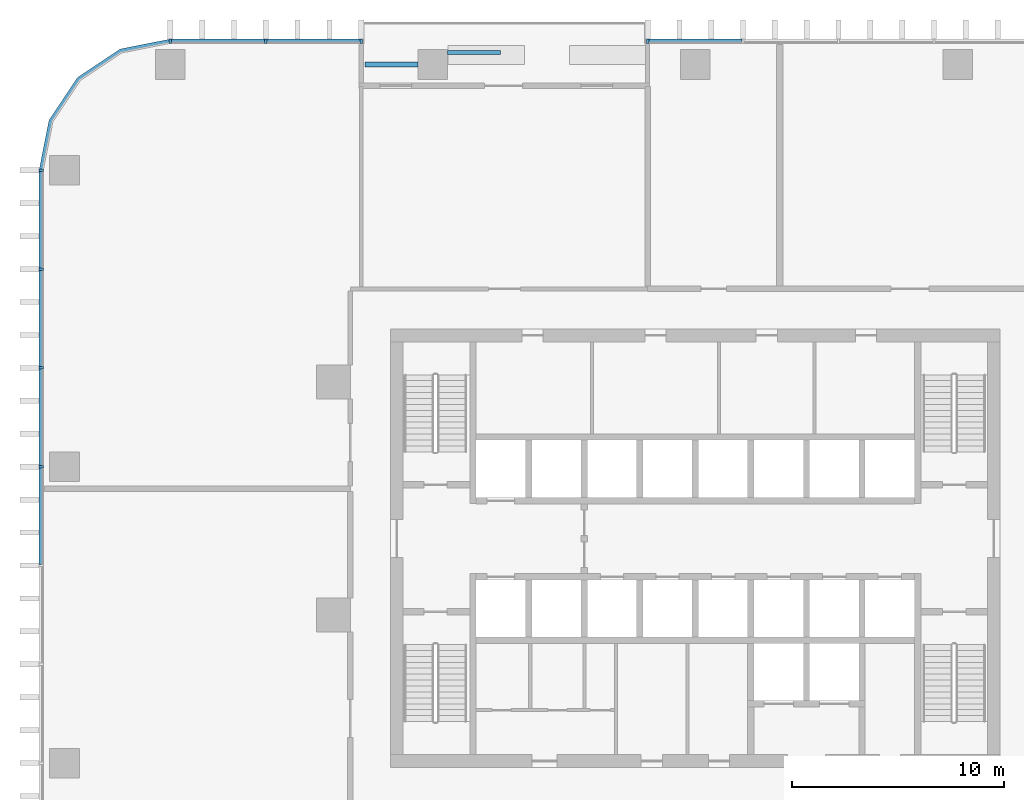
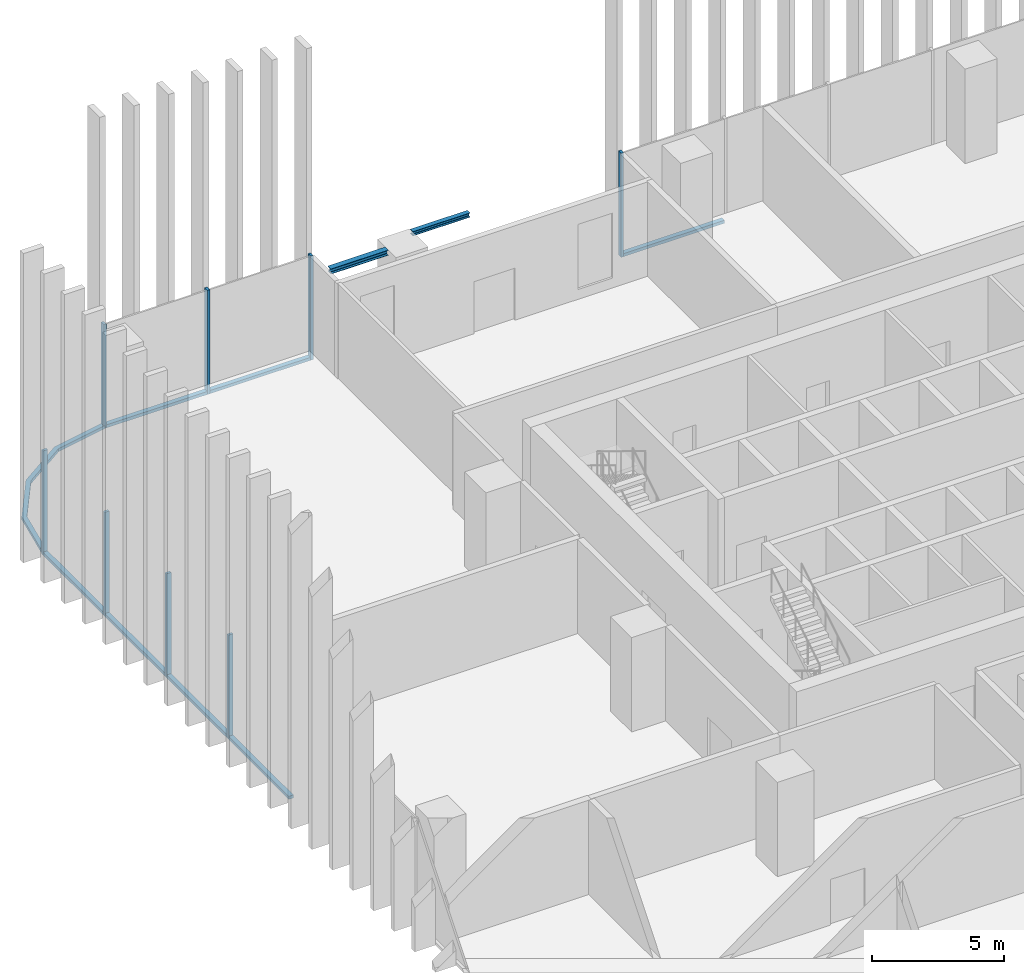
# One storey, part 4 of 17: 16 members, 2 beams, 4 elements without a shape of their own.
"""IFC4 building model written with IfcOpenShell, lengths in metres."""

from ifc_helpers import new_model, si_unit, direction, frame, origin, origin_2d, place, context, subcontext, project, spatial, polyline, rectangle, i_section, outline, extrude, material, material_profile, profile_set, type_object, element, aggregate, save


model = new_model("IFC4")

# Units and contexts
model_context = context("Model", 3, precision=1e-05, world=origin(), true_north=direction((0.0, 1.0)))
body_context = subcontext(model_context, "Body", "Model", "MODEL_VIEW")
ifc_project = project(units=[si_unit("LENGTHUNIT", "METRE"), si_unit("AREAUNIT", "SQUARE_METRE"), si_unit("VOLUMEUNIT", "CUBIC_METRE"), si_unit("PLANEANGLEUNIT", "RADIAN"), si_unit("MASSUNIT", "GRAM", prefix="KILO")], contexts=[model_context])

# Site, building, storey
site_placement = place(None, origin())
site = spatial("IfcSite", under=ifc_project, at=site_placement, CompositionType="ELEMENT")
building_placement = place(site_placement, origin())
building = spatial("IfcBuilding", under=site, at=building_placement, Name="Mopane Tessera Tower", CompositionType="ELEMENT")
storey_placement = place(building_placement, frame((0.0, 0.0, 74.199951171875)))
storey = spatial("IfcBuildingStorey", under=building, at=storey_placement, Name="L14", CompositionType="ELEMENT", Elevation=74.199951171875)

# Curtain wall, member
ifc_material_1 = material(Name="Aluminium frame", Category="aluminium")
curtain_wall_type = type_object("IfcCurtainWallType", Name="Lower tower unitised wall", PredefinedType="NOTDEFINED", material=ifc_material_1)
curtain_wall_1_placement = place(storey_placement, origin())
curtain_wall_1 = element("IfcCurtainWall", 1, at=curtain_wall_1_placement, inside=storey, type_object=curtain_wall_type, Name="e:cw:L14:N:0", PredefinedType="NOTDEFINED")
ifc_material_2 = material(Name="Aluminium frame", Category="aluminium")
ifc_material_profile_1 = material_profile(ifc_material_2, rectangle(XDim=0.110107421875, YDim=0.199951171875, at=origin_2d()))
ifc_profile_set_1 = profile_set([ifc_material_profile_1], Name="Aluminium frame")
member_type_1 = type_object("IfcMemberType", Name="Aluminium mullion 110 x 200", PredefinedType="MULLION", material=ifc_profile_set_1)
member_1_placement = place(storey_placement, frame((-2.254638671875, 27.10009765625, -0.449951171875), z_axis=(0.0, 0.0, 1.0), x_axis=(-1.0, 0.0, 0.0)))
member_1 = element("IfcMember", 2, at=member_1_placement, type_object=member_type_1, Name="e:cw:L14:N:0:mu6", PredefinedType="MULLION", context=body_context, shape_type="SweptSolid", body=[
    extrude(rectangle(XDim=0.110107421875, YDim=0.199951171875, at=origin_2d()), origin(), (0.0, 0.0, 1.0), 4.800048828125),
])

# Curtain wall, members
curtain_wall_2_placement = place(storey_placement, origin())
curtain_wall_2 = element("IfcCurtainWall", 3, at=curtain_wall_2_placement, inside=storey, type_object=curtain_wall_type, Name="e:cw:L14:N:9", PredefinedType="NOTDEFINED")
member_2_placement = place(storey_placement, frame((-15.78173828125, 27.10009765625, -0.449951171875), z_axis=(0.0, 0.0, 1.0), x_axis=(-1.0, 0.0, 0.0)))
member_2 = element("IfcMember", 4, at=member_2_placement, type_object=member_type_1, Name="e:cw:L14:N:9:mu9", PredefinedType="MULLION", context=body_context, shape_type="SweptSolid", body=[
    extrude(rectangle(XDim=0.110107421875, YDim=0.199951171875, at=origin_2d()), origin(), (0.0, 0.0, 1.0), 4.800048828125),
])
member_3_placement = place(storey_placement, frame((-20.291015625, 27.10009765625, -0.449951171875), z_axis=(0.0, 0.0, 1.0), x_axis=(-1.0, 0.0, 0.0)))
member_3 = element("IfcMember", 5, at=member_3_placement, type_object=member_type_1, Name="e:cw:L14:N:9:mu10", PredefinedType="MULLION", context=body_context, shape_type="SweptSolid", body=[
    extrude(rectangle(XDim=0.110107421875, YDim=0.199951171875, at=origin_2d()), origin(), (0.0, 0.0, 1.0), 4.800048828125),
])
member_4_placement = place(storey_placement, frame((-24.800048828125, 27.10009765625, -0.449951171875), z_axis=(0.0, 0.0, 1.0), x_axis=(-1.0, 0.0, 0.0)))
member_4 = element("IfcMember", 6, at=member_4_placement, type_object=member_type_1, Name="e:cw:L14:N:9:mu11", PredefinedType="MULLION", context=body_context, shape_type="SweptSolid", body=[
    extrude(rectangle(XDim=0.110107421875, YDim=0.199951171875, at=origin_2d()), origin(), (0.0, 0.0, 1.0), 4.800048828125),
])

curtain_wall_3_placement = place(storey_placement, origin())
curtain_wall_3 = element("IfcCurtainWall", 7, at=curtain_wall_3_placement, inside=storey, type_object=curtain_wall_type, Name="e:cw:L14:W:0", PredefinedType="NOTDEFINED")
member_5_placement = place(storey_placement, frame((-30.89990234375, 21.0, -0.449951171875), z_axis=(0.0, 0.0, 1.0), x_axis=(0.0, -1.0, 0.0)))
member_5 = element("IfcMember", 8, at=member_5_placement, type_object=member_type_1, Name="e:cw:L14:W:0:mu0", PredefinedType="MULLION", context=body_context, shape_type="SweptSolid", body=[
    extrude(rectangle(XDim=0.110107421875, YDim=0.199951171875, at=origin_2d()), origin(), (0.0, 0.0, 1.0), 4.800048828125),
])
member_6_placement = place(storey_placement, frame((-30.89990234375, 16.333251953125, -0.449951171875), z_axis=(0.0, 0.0, 1.0), x_axis=(0.0, -1.0, 0.0)))
member_6 = element("IfcMember", 9, at=member_6_placement, type_object=member_type_1, Name="e:cw:L14:W:0:mu1", PredefinedType="MULLION", context=body_context, shape_type="SweptSolid", body=[
    extrude(rectangle(XDim=0.110107421875, YDim=0.199951171875, at=origin_2d()), origin(), (0.0, 0.0, 1.0), 4.800048828125),
])
member_7_placement = place(storey_placement, frame((-30.89990234375, 11.666748046875, -0.449951171875), z_axis=(0.0, 0.0, 1.0), x_axis=(0.0, -1.0, 0.0)))
member_7 = element("IfcMember", 10, at=member_7_placement, type_object=member_type_1, Name="e:cw:L14:W:0:mu2", PredefinedType="MULLION", context=body_context, shape_type="SweptSolid", body=[
    extrude(rectangle(XDim=0.110107421875, YDim=0.199951171875, at=origin_2d()), origin(), (0.0, 0.0, 1.0), 4.800048828125),
])
member_8_placement = place(storey_placement, frame((-30.89990234375, 7.0, -0.449951171875), z_axis=(0.0, 0.0, 1.0), x_axis=(0.0, -1.0, 0.0)))
member_8 = element("IfcMember", 11, at=member_8_placement, type_object=member_type_1, Name="e:cw:L14:W:0:mu3", PredefinedType="MULLION", context=body_context, shape_type="SweptSolid", body=[
    extrude(rectangle(XDim=0.110107421875, YDim=0.199951171875, at=origin_2d()), origin(), (0.0, 0.0, 1.0), 4.800048828125),
])

# Member
ifc_material_3 = material(Name="Aluminium frame", Category="aluminium")
ifc_material_profile_2 = material_profile(ifc_material_3, rectangle(XDim=0.199951171875, YDim=0.139892578125, at=origin_2d()))
ifc_profile_set_2 = profile_set([ifc_material_profile_2], Name="Aluminium frame")
member_type_2 = type_object("IfcMemberType", Name="Aluminium transom 200 x 140", PredefinedType="USERDEFINED", material=ifc_profile_set_2)
member_9_placement = place(storey_placement, frame((2.199462890625, 27.10009765625, -0.3798828125), z_axis=(-1.0, 0.0, 0.0), x_axis=(0.0, -1.0, 0.0)))
member_9 = element("IfcMember", 12, at=member_9_placement, type_object=member_type_2, Name="e:cw:L14:N:0:tr5", ObjectType="TRANSOM", PredefinedType="USERDEFINED", context=body_context, shape_type="SweptSolid", body=[
    extrude(rectangle(XDim=0.199951171875, YDim=0.139892578125, at=origin_2d()), origin(), (0.0, 0.0, 1.0), 4.39892578125),
])

aggregate(curtain_wall_1, [member_1, member_9])

member_10_placement = place(storey_placement, frame((-15.8369140625, 27.10009765625, -0.3798828125), z_axis=(-1.0, 0.0, 0.0), x_axis=(0.0, -1.0, 0.0)))
member_10 = element("IfcMember", 13, at=member_10_placement, type_object=member_type_2, Name="e:cw:L14:N:9:tr9", ObjectType="TRANSOM", PredefinedType="USERDEFINED", context=body_context, shape_type="SweptSolid", body=[
    extrude(rectangle(XDim=0.199951171875, YDim=0.139892578125, at=origin_2d()), origin(), (0.0, 0.0, 1.0), 4.39892578125),
])

member_11_placement = place(storey_placement, frame((-20.345947265625, 27.10009765625, -0.3798828125), z_axis=(-1.0, 0.0, 0.0), x_axis=(0.0, -1.0, 0.0)))
member_11 = element("IfcMember", 14, at=member_11_placement, type_object=member_type_2, Name="e:cw:L14:N:9:tr10", ObjectType="TRANSOM", PredefinedType="USERDEFINED", context=body_context, shape_type="SweptSolid", body=[
    extrude(rectangle(XDim=0.199951171875, YDim=0.139892578125, at=origin_2d()), origin(), (0.0, 0.0, 1.0), 4.399169921875),
])

aggregate(curtain_wall_2, [member_2, member_3, member_4, member_10, member_11])

# Curtain wall, member
curtain_wall_4_placement = place(storey_placement, origin())
curtain_wall_4 = element("IfcCurtainWall", 15, at=curtain_wall_4_placement, inside=storey, type_object=curtain_wall_type, Name="e:cw:L14:CN", PredefinedType="NOTDEFINED")
member_12_placement = place(storey_placement, frame((0.0, 0.0, -0.449951171875)))
member_12 = element("IfcMember", 16, at=member_12_placement, type_object=member_type_2, Name="e:cw:L14:CN:tr", ObjectType="TRANSOM", PredefinedType="USERDEFINED", context=body_context, shape_type="SweptSolid", body=[
    extrude(outline(polyline([(-24.800048828125, 27.0), (-27.09619140625, 26.543212890625), (-29.042724609375, 25.24267578125), (-30.34326171875, 23.296142578125), (-30.800048828125, 21.0), (-31.0, 21.0), (-30.528076171875, 23.37255859375), (-29.18408203125, 25.384033203125), (-27.172607421875, 26.72802734375), (-24.800048828125, 27.199951171875), (-24.800048828125, 27.0)])), origin(), (0.0, 0.0, 1.0), 0.139892578125),
])
aggregate(curtain_wall_4, [member_12])

# Member
member_13_placement = place(storey_placement, frame((-30.89990234375, 20.945068359375, -0.3798828125), z_axis=(0.0, -1.0, 0.0), x_axis=(1.0, 0.0, 0.0)))
member_13 = element("IfcMember", 17, at=member_13_placement, type_object=member_type_2, Name="e:cw:L14:W:0:tr0", ObjectType="TRANSOM", PredefinedType="USERDEFINED", context=body_context, shape_type="SweptSolid", body=[
    extrude(rectangle(XDim=0.199951171875, YDim=0.139892578125, at=origin_2d()), origin(), (0.0, 0.0, 1.0), 4.556640625),
])

member_14_placement = place(storey_placement, frame((-30.89990234375, 16.2783203125, -0.3798828125), z_axis=(0.0, -1.0, 0.0), x_axis=(1.0, 0.0, 0.0)))
member_14 = element("IfcMember", 18, at=member_14_placement, type_object=member_type_2, Name="e:cw:L14:W:0:tr1", ObjectType="TRANSOM", PredefinedType="USERDEFINED", context=body_context, shape_type="SweptSolid", body=[
    extrude(rectangle(XDim=0.199951171875, YDim=0.139892578125, at=origin_2d()), origin(), (0.0, 0.0, 1.0), 4.556640625),
])

member_15_placement = place(storey_placement, frame((-30.89990234375, 11.611572265625, -0.3798828125), z_axis=(0.0, -1.0, 0.0), x_axis=(1.0, 0.0, 0.0)))
member_15 = element("IfcMember", 19, at=member_15_placement, type_object=member_type_2, Name="e:cw:L14:W:0:tr2", ObjectType="TRANSOM", PredefinedType="USERDEFINED", context=body_context, shape_type="SweptSolid", body=[
    extrude(rectangle(XDim=0.199951171875, YDim=0.139892578125, at=origin_2d()), origin(), (0.0, 0.0, 1.0), 4.556640625),
])

member_16_placement = place(storey_placement, frame((-30.89990234375, 6.945068359375, -0.3798828125), z_axis=(0.0, -1.0, 0.0), x_axis=(1.0, 0.0, 0.0)))
member_16 = element("IfcMember", 20, at=member_16_placement, type_object=member_type_2, Name="e:cw:L14:W:0:tr3", ObjectType="TRANSOM", PredefinedType="USERDEFINED", context=body_context, shape_type="SweptSolid", body=[
    extrude(rectangle(XDim=0.199951171875, YDim=0.139892578125, at=origin_2d()), origin(), (0.0, 0.0, 1.0), 4.556640625),
])

aggregate(curtain_wall_3, [member_5, member_6, member_7, member_8, member_13, member_14, member_15, member_16])

# Beams
ifc_material_4 = material(Name="Structural steel S460", Category="steel")
ifc_material_profile_3 = material_profile(ifc_material_4, i_section(OverallWidth=0.239990234375, OverallDepth=0.239990234375, WebThickness=0.010009765625, FlangeThickness=0.01708984375, FilletRadius=0.02099609375, at=origin_2d()))
ifc_profile_set_3 = profile_set([ifc_material_profile_3], Name="Structural steel S460")
beam_type_1 = type_object("IfcBeamType", Name="Terrace spandrel beam HE 240 B", PredefinedType="SPANDREL", material=ifc_profile_set_3)
beam_1_placement = place(storey_placement, frame((-13.102783203125, 26.0, 4.22998046875), z_axis=(-1.0, 0.0, 0.0), x_axis=(0.0, -1.0, 0.0)))
element("IfcBeam", 21, at=beam_1_placement, inside=storey, type_object=beam_type_1, Name="Terrace spandrel beam N2 L15", PredefinedType="SPANDREL", context=body_context, shape_type="SweptSolid", body=[
    extrude(i_section(OverallWidth=0.239990234375, OverallDepth=0.239990234375, WebThickness=0.010009765625, FlangeThickness=0.01708984375, FilletRadius=0.02099609375, at=origin_2d()), origin(), (0.0, 0.0, 1.0), 2.5),
])
ifc_material_5 = material(Name="Structural steel S460", Category="steel")
ifc_material_profile_4 = material_profile(ifc_material_5, i_section(OverallWidth=0.199951171875, OverallDepth=0.199951171875, WebThickness=0.009033203125, FlangeThickness=0.014892578125, FilletRadius=0.01806640625, at=origin_2d()))
ifc_profile_set_4 = profile_set([ifc_material_profile_4], Name="Structural steel S460")
beam_type_2 = type_object("IfcBeamType", Name="Terrace trimmer beam HE 200 B", PredefinedType="BEAM", material=ifc_profile_set_4)
beam_2_placement = place(storey_placement, frame((-11.697021484375, 26.56005859375, 4.25), z_axis=(1.0, 0.0, 0.0), x_axis=(0.0, 1.0, 0.0)))
element("IfcBeam", 22, at=beam_2_placement, inside=storey, type_object=beam_type_2, Name="Terrace trimmer beam N2 L15", PredefinedType="BEAM", context=body_context, shape_type="SweptSolid", body=[
    extrude(i_section(OverallWidth=0.199951171875, OverallDepth=0.199951171875, WebThickness=0.009033203125, FlangeThickness=0.014892578125, FilletRadius=0.01806640625, at=origin_2d()), origin(), (0.0, 0.0, 1.0), 2.5),
])

save(model, "model.ifc")
